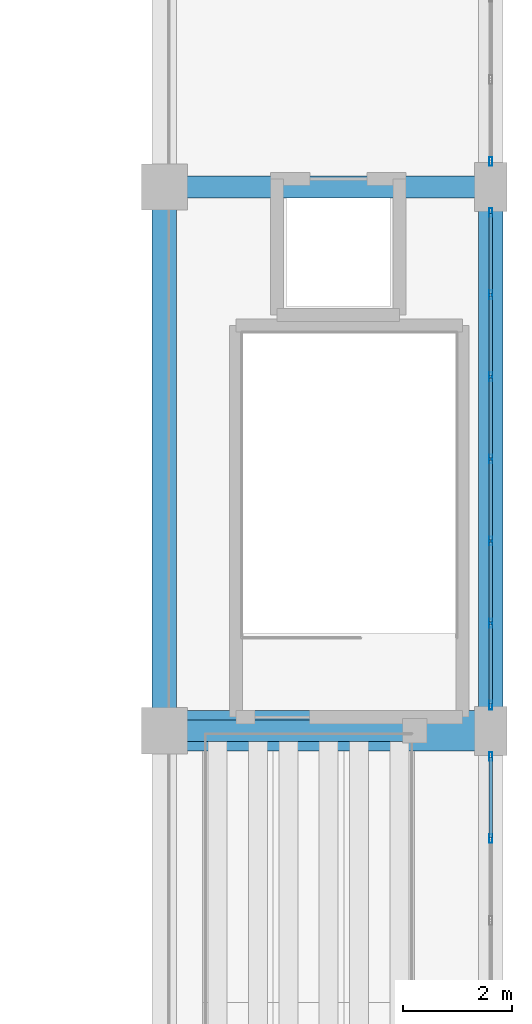
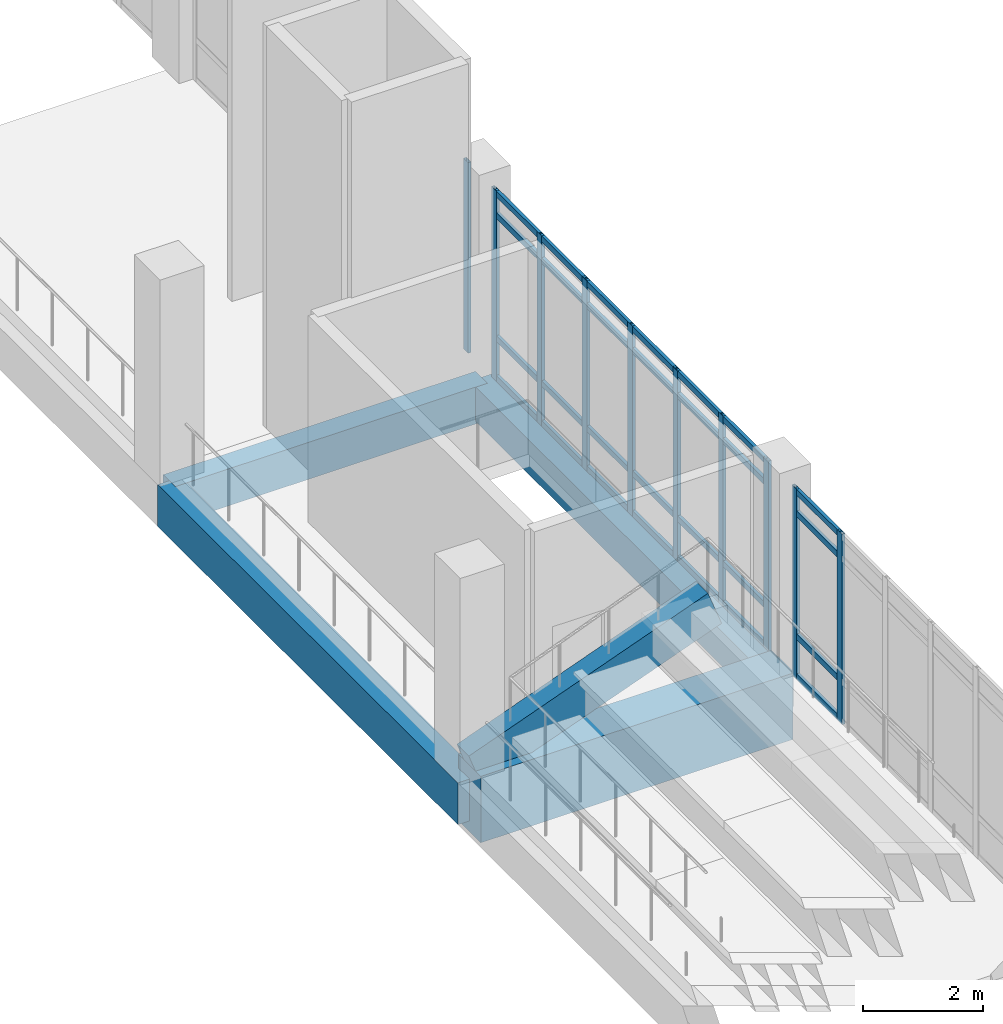
# One storey, part 109 of 161: 38 members, 5 beams, 3 elements without a shape of their own.
"""IFC4 building model written with IfcOpenShell, lengths in metres."""

from ifc_helpers import new_model, si_unit, direction, frame, origin, origin_2d, place, context, subcontext, project, spatial, rectangle, hollow_rectangle, extrude, material, layer, layer_set, material_profile, profile_set, type_object, element, aggregate, save


model = new_model("IFC4")

# Units and contexts
model_context = context("Model", 3, precision=1e-05, world=origin(), true_north=direction((0.0, 1.0)))
body_context = subcontext(model_context, "Body", "Model", "MODEL_VIEW")
ifc_project = project(units=[si_unit("LENGTHUNIT", "METRE"), si_unit("AREAUNIT", "SQUARE_METRE"), si_unit("VOLUMEUNIT", "CUBIC_METRE"), si_unit("PLANEANGLEUNIT", "RADIAN"), si_unit("MASSUNIT", "GRAM", prefix="KILO")], contexts=[model_context])

# Site, building, storey
site_placement = place(None, origin())
site = spatial("IfcSite", under=ifc_project, at=site_placement, CompositionType="ELEMENT")
building_placement = place(site_placement, origin())
building = spatial("IfcBuilding", under=site, at=building_placement, Name="Mersad Railyard Sports Hall", CompositionType="ELEMENT")
storey_placement = place(building_placement, frame((0.0, 0.0, 4.800048828125)))
storey = spatial("IfcBuildingStorey", under=building, at=storey_placement, Name="L01", CompositionType="ELEMENT", Elevation=4.800048828125)

# Curtain wall, members
ifc_material_1 = material(Name="Aluminium 6063-T6", Category="aluminium")
ifc_layer = layer(ifc_material_1, 0.159912109375)
ifc_layer_set = layer_set([ifc_layer], Name="Aluminium 6063-T6")
curtain_wall_type = type_object("IfcCurtainWallType", Name="ARC-CW-CW14", PredefinedType="USERDEFINED", material=ifc_layer_set)
curtain_wall_1_placement = place(storey_placement, origin())
curtain_wall_1 = element("IfcCurtainWall", 1, at=curtain_wall_1_placement, inside=storey, type_object=curtain_wall_type, Name="Curtain wall CW14-0052", ObjectType="CURTAIN WALL", PredefinedType="USERDEFINED")
ifc_material_profile_1 = material_profile(ifc_material_1, hollow_rectangle(XDim=0.06005859375, YDim=0.159912109375, WallThickness=0.00390625, at=origin_2d()), Name="AL MULLION 60x160x4")
ifc_profile_set_1 = profile_set([ifc_material_profile_1], Name="Aluminium 6063-T6")
member_type_1 = type_object("IfcMemberType", Name="ARC-CW-MUL01", PredefinedType="MULLION", material=ifc_profile_set_1)
member_1_placement = place(storey_placement, frame((179.0, 53.030029296875, -0.02001953125), z_axis=(0.0, 0.0, 1.0), x_axis=(1.0, 0.0, 0.0)))
member_1 = element("IfcMember", 2, at=member_1_placement, type_object=member_type_1, Name="CW14 Mullion 1", PredefinedType="MULLION", context=body_context, shape_type="SweptSolid", body=[
    extrude(hollow_rectangle(XDim=0.06005859375, YDim=0.159912109375, WallThickness=0.00390625, at=origin_2d()), origin(), (0.0, 0.0, 1.0), 3.869873046875),
])
member_2_placement = place(storey_placement, frame((179.0, 51.52001953125, -0.02001953125), z_axis=(0.0, 0.0, 1.0), x_axis=(1.0, 0.0, 0.0)))
member_2 = element("IfcMember", 3, at=member_2_placement, type_object=member_type_1, Name="CW14 Mullion 2", PredefinedType="MULLION", context=body_context, shape_type="SweptSolid", body=[
    extrude(hollow_rectangle(XDim=0.06005859375, YDim=0.159912109375, WallThickness=0.00390625, at=origin_2d()), origin(), (0.0, 0.0, 1.0), 3.869873046875),
])

curtain_wall_2_placement = place(storey_placement, origin())
curtain_wall_2 = element("IfcCurtainWall", 4, at=curtain_wall_2_placement, inside=storey, type_object=curtain_wall_type, Name="Curtain wall CW14-0054", ObjectType="CURTAIN WALL", PredefinedType="USERDEFINED")
member_3_placement = place(storey_placement, frame((179.0, 63.030029296875, -0.02001953125), z_axis=(0.0, 0.0, 1.0), x_axis=(1.0, 0.0, 0.0)))
member_3 = element("IfcMember", 5, at=member_3_placement, type_object=member_type_1, Name="CW14 Mullion 1", PredefinedType="MULLION", context=body_context, shape_type="SweptSolid", body=[
    extrude(hollow_rectangle(XDim=0.06005859375, YDim=0.159912109375, WallThickness=0.00390625, at=origin_2d()), origin(), (0.0, 0.0, 1.0), 3.869873046875),
])
member_4_placement = place(storey_placement, frame((179.0, 61.52001953125, -0.02001953125), z_axis=(0.0, 0.0, 1.0), x_axis=(1.0, 0.0, 0.0)))
member_4 = element("IfcMember", 6, at=member_4_placement, type_object=member_type_1, Name="CW14 Mullion 2", PredefinedType="MULLION", context=body_context, shape_type="SweptSolid", body=[
    extrude(hollow_rectangle(XDim=0.06005859375, YDim=0.159912109375, WallThickness=0.00390625, at=origin_2d()), origin(), (0.0, 0.0, 1.0), 3.869873046875),
])
member_5_placement = place(storey_placement, frame((179.0, 60.010009765625, -0.02001953125), z_axis=(0.0, 0.0, 1.0), x_axis=(1.0, 0.0, 0.0)))
member_5 = element("IfcMember", 7, at=member_5_placement, type_object=member_type_1, Name="CW14 Mullion 3", PredefinedType="MULLION", context=body_context, shape_type="SweptSolid", body=[
    extrude(hollow_rectangle(XDim=0.06005859375, YDim=0.159912109375, WallThickness=0.00390625, at=origin_2d()), origin(), (0.0, 0.0, 1.0), 3.869873046875),
])
member_6_placement = place(storey_placement, frame((179.0, 58.5, -0.02001953125), z_axis=(0.0, 0.0, 1.0), x_axis=(1.0, 0.0, 0.0)))
member_6 = element("IfcMember", 8, at=member_6_placement, type_object=member_type_1, Name="CW14 Mullion 4", PredefinedType="MULLION", context=body_context, shape_type="SweptSolid", body=[
    extrude(hollow_rectangle(XDim=0.06005859375, YDim=0.159912109375, WallThickness=0.00390625, at=origin_2d()), origin(), (0.0, 0.0, 1.0), 3.869873046875),
])
member_7_placement = place(storey_placement, frame((179.0, 56.989990234375, -0.02001953125), z_axis=(0.0, 0.0, 1.0), x_axis=(1.0, 0.0, 0.0)))
member_7 = element("IfcMember", 9, at=member_7_placement, type_object=member_type_1, Name="CW14 Mullion 5", PredefinedType="MULLION", context=body_context, shape_type="SweptSolid", body=[
    extrude(hollow_rectangle(XDim=0.06005859375, YDim=0.159912109375, WallThickness=0.00390625, at=origin_2d()), origin(), (0.0, 0.0, 1.0), 3.869873046875),
])
member_8_placement = place(storey_placement, frame((179.0, 55.47998046875, -0.02001953125), z_axis=(0.0, 0.0, 1.0), x_axis=(1.0, 0.0, 0.0)))
member_8 = element("IfcMember", 10, at=member_8_placement, type_object=member_type_1, Name="CW14 Mullion 6", PredefinedType="MULLION", context=body_context, shape_type="SweptSolid", body=[
    extrude(hollow_rectangle(XDim=0.06005859375, YDim=0.159912109375, WallThickness=0.00390625, at=origin_2d()), origin(), (0.0, 0.0, 1.0), 3.869873046875),
])
member_9_placement = place(storey_placement, frame((179.0, 53.969970703125, -0.02001953125), z_axis=(0.0, 0.0, 1.0), x_axis=(1.0, 0.0, 0.0)))
member_9 = element("IfcMember", 11, at=member_9_placement, type_object=member_type_1, Name="CW14 Mullion 7", PredefinedType="MULLION", context=body_context, shape_type="SweptSolid", body=[
    extrude(hollow_rectangle(XDim=0.06005859375, YDim=0.159912109375, WallThickness=0.00390625, at=origin_2d()), origin(), (0.0, 0.0, 1.0), 3.869873046875),
])

# Curtain wall, member
curtain_wall_3_placement = place(storey_placement, origin())
curtain_wall_3 = element("IfcCurtainWall", 12, at=curtain_wall_3_placement, inside=storey, type_object=curtain_wall_type, Name="Curtain wall CW14-0056", ObjectType="CURTAIN WALL", PredefinedType="USERDEFINED")
member_10_placement = place(storey_placement, frame((179.0, 63.969970703125, -0.02001953125), z_axis=(0.0, 0.0, 1.0), x_axis=(1.0, 0.0, 0.0)))
member_10 = element("IfcMember", 13, at=member_10_placement, type_object=member_type_1, Name="CW14 Mullion 7", PredefinedType="MULLION", context=body_context, shape_type="SweptSolid", body=[
    extrude(hollow_rectangle(XDim=0.06005859375, YDim=0.159912109375, WallThickness=0.00390625, at=origin_2d()), origin(), (0.0, 0.0, 1.0), 3.869873046875),
])
aggregate(curtain_wall_3, [member_10])

# Member
ifc_material_profile_2 = material_profile(ifc_material_1, hollow_rectangle(XDim=0.06005859375, YDim=0.1201171875, WallThickness=0.00390625, at=origin_2d()), Name="AL TRANSOM 60x120x4")
ifc_profile_set_2 = profile_set([ifc_material_profile_2], Name="Aluminium 6063-T6")
member_type_2 = type_object("IfcMemberType", Name="ARC-CW-TRN01", PredefinedType="USERDEFINED", material=ifc_profile_set_2)
member_11_placement = place(storey_placement, frame((179.0, 53.010009765625, 0.0400390625), z_axis=(0.0, -1.0, 0.0), x_axis=(1.0, 0.0, 0.0)))
member_11 = element("IfcMember", 14, at=member_11_placement, type_object=member_type_2, Name="CW14 Transom 1-1", ObjectType="TRANSOM", PredefinedType="USERDEFINED", context=body_context, shape_type="SweptSolid", body=[
    extrude(hollow_rectangle(XDim=0.06005859375, YDim=0.1201171875, WallThickness=0.00390625, at=origin_2d()), origin(), (0.0, 0.0, 1.0), 1.469970703125),
])

member_12_placement = place(storey_placement, frame((179.0, 53.010009765625, 0.849853515625), z_axis=(0.0, -1.0, 0.0), x_axis=(1.0, 0.0, 0.0)))
member_12 = element("IfcMember", 15, at=member_12_placement, type_object=member_type_2, Name="CW14 Transom 2-1", ObjectType="TRANSOM", PredefinedType="USERDEFINED", context=body_context, shape_type="SweptSolid", body=[
    extrude(hollow_rectangle(XDim=0.06005859375, YDim=0.1201171875, WallThickness=0.00390625, at=origin_2d()), origin(), (0.0, 0.0, 1.0), 1.469970703125),
])

member_13_placement = place(storey_placement, frame((179.0, 53.010009765625, 3.349853515625), z_axis=(0.0, -1.0, 0.0), x_axis=(1.0, 0.0, 0.0)))
member_13 = element("IfcMember", 16, at=member_13_placement, type_object=member_type_2, Name="CW14 Transom 3-1", ObjectType="TRANSOM", PredefinedType="USERDEFINED", context=body_context, shape_type="SweptSolid", body=[
    extrude(hollow_rectangle(XDim=0.06005859375, YDim=0.1201171875, WallThickness=0.00390625, at=origin_2d()), origin(), (0.0, 0.0, 1.0), 1.469970703125),
])

member_14_placement = place(storey_placement, frame((179.0, 53.010009765625, 3.7900390625), z_axis=(0.0, -1.0, 0.0), x_axis=(1.0, 0.0, 0.0)))
member_14 = element("IfcMember", 17, at=member_14_placement, type_object=member_type_2, Name="CW14 Transom 4-1", ObjectType="TRANSOM", PredefinedType="USERDEFINED", context=body_context, shape_type="SweptSolid", body=[
    extrude(hollow_rectangle(XDim=0.06005859375, YDim=0.1201171875, WallThickness=0.00390625, at=origin_2d()), origin(), (0.0, 0.0, 1.0), 1.469970703125),
])

aggregate(curtain_wall_1, [member_1, member_2, member_11, member_12, member_13, member_14])

member_15_placement = place(storey_placement, frame((179.0, 63.010009765625, 0.0400390625), z_axis=(0.0, -1.0, 0.0), x_axis=(1.0, 0.0, 0.0)))
member_15 = element("IfcMember", 18, at=member_15_placement, type_object=member_type_2, Name="CW14 Transom 1-1", ObjectType="TRANSOM", PredefinedType="USERDEFINED", context=body_context, shape_type="SweptSolid", body=[
    extrude(hollow_rectangle(XDim=0.06005859375, YDim=0.1201171875, WallThickness=0.00390625, at=origin_2d()), origin(), (0.0, 0.0, 1.0), 1.469970703125),
])

member_16_placement = place(storey_placement, frame((179.0, 61.5, 0.0400390625), z_axis=(0.0, -1.0, 0.0), x_axis=(1.0, 0.0, 0.0)))
member_16 = element("IfcMember", 19, at=member_16_placement, type_object=member_type_2, Name="CW14 Transom 1-2", ObjectType="TRANSOM", PredefinedType="USERDEFINED", context=body_context, shape_type="SweptSolid", body=[
    extrude(hollow_rectangle(XDim=0.06005859375, YDim=0.1201171875, WallThickness=0.00390625, at=origin_2d()), origin(), (0.0, 0.0, 1.0), 1.469970703125),
])

member_17_placement = place(storey_placement, frame((179.0, 59.989990234375, 0.0400390625), z_axis=(0.0, -1.0, 0.0), x_axis=(1.0, 0.0, 0.0)))
member_17 = element("IfcMember", 20, at=member_17_placement, type_object=member_type_2, Name="CW14 Transom 1-3", ObjectType="TRANSOM", PredefinedType="USERDEFINED", context=body_context, shape_type="SweptSolid", body=[
    extrude(hollow_rectangle(XDim=0.06005859375, YDim=0.1201171875, WallThickness=0.00390625, at=origin_2d()), origin(), (0.0, 0.0, 1.0), 1.469970703125),
])

member_18_placement = place(storey_placement, frame((179.0, 58.47998046875, 0.0400390625), z_axis=(0.0, -1.0, 0.0), x_axis=(1.0, 0.0, 0.0)))
member_18 = element("IfcMember", 21, at=member_18_placement, type_object=member_type_2, Name="CW14 Transom 1-4", ObjectType="TRANSOM", PredefinedType="USERDEFINED", context=body_context, shape_type="SweptSolid", body=[
    extrude(hollow_rectangle(XDim=0.06005859375, YDim=0.1201171875, WallThickness=0.00390625, at=origin_2d()), origin(), (0.0, 0.0, 1.0), 1.469970703125),
])

member_19_placement = place(storey_placement, frame((179.0, 56.969970703125, 0.0400390625), z_axis=(0.0, -1.0, 0.0), x_axis=(1.0, 0.0, 0.0)))
member_19 = element("IfcMember", 22, at=member_19_placement, type_object=member_type_2, Name="CW14 Transom 1-5", ObjectType="TRANSOM", PredefinedType="USERDEFINED", context=body_context, shape_type="SweptSolid", body=[
    extrude(hollow_rectangle(XDim=0.06005859375, YDim=0.1201171875, WallThickness=0.00390625, at=origin_2d()), origin(), (0.0, 0.0, 1.0), 1.469970703125),
])

member_20_placement = place(storey_placement, frame((179.0, 55.4599609375, 0.0400390625), z_axis=(0.0, -1.0, 0.0), x_axis=(1.0, 0.0, 0.0)))
member_20 = element("IfcMember", 23, at=member_20_placement, type_object=member_type_2, Name="CW14 Transom 1-6", ObjectType="TRANSOM", PredefinedType="USERDEFINED", context=body_context, shape_type="SweptSolid", body=[
    extrude(hollow_rectangle(XDim=0.06005859375, YDim=0.1201171875, WallThickness=0.00390625, at=origin_2d()), origin(), (0.0, 0.0, 1.0), 1.469970703125),
])

member_21_placement = place(storey_placement, frame((179.0, 63.010009765625, 0.849853515625), z_axis=(0.0, -1.0, 0.0), x_axis=(1.0, 0.0, 0.0)))
member_21 = element("IfcMember", 24, at=member_21_placement, type_object=member_type_2, Name="CW14 Transom 2-1", ObjectType="TRANSOM", PredefinedType="USERDEFINED", context=body_context, shape_type="SweptSolid", body=[
    extrude(hollow_rectangle(XDim=0.06005859375, YDim=0.1201171875, WallThickness=0.00390625, at=origin_2d()), origin(), (0.0, 0.0, 1.0), 1.469970703125),
])

member_22_placement = place(storey_placement, frame((179.0, 61.5, 0.849853515625), z_axis=(0.0, -1.0, 0.0), x_axis=(1.0, 0.0, 0.0)))
member_22 = element("IfcMember", 25, at=member_22_placement, type_object=member_type_2, Name="CW14 Transom 2-2", ObjectType="TRANSOM", PredefinedType="USERDEFINED", context=body_context, shape_type="SweptSolid", body=[
    extrude(hollow_rectangle(XDim=0.06005859375, YDim=0.1201171875, WallThickness=0.00390625, at=origin_2d()), origin(), (0.0, 0.0, 1.0), 1.469970703125),
])

member_23_placement = place(storey_placement, frame((179.0, 59.989990234375, 0.849853515625), z_axis=(0.0, -1.0, 0.0), x_axis=(1.0, 0.0, 0.0)))
member_23 = element("IfcMember", 26, at=member_23_placement, type_object=member_type_2, Name="CW14 Transom 2-3", ObjectType="TRANSOM", PredefinedType="USERDEFINED", context=body_context, shape_type="SweptSolid", body=[
    extrude(hollow_rectangle(XDim=0.06005859375, YDim=0.1201171875, WallThickness=0.00390625, at=origin_2d()), origin(), (0.0, 0.0, 1.0), 1.469970703125),
])

member_24_placement = place(storey_placement, frame((179.0, 58.47998046875, 0.849853515625), z_axis=(0.0, -1.0, 0.0), x_axis=(1.0, 0.0, 0.0)))
member_24 = element("IfcMember", 27, at=member_24_placement, type_object=member_type_2, Name="CW14 Transom 2-4", ObjectType="TRANSOM", PredefinedType="USERDEFINED", context=body_context, shape_type="SweptSolid", body=[
    extrude(hollow_rectangle(XDim=0.06005859375, YDim=0.1201171875, WallThickness=0.00390625, at=origin_2d()), origin(), (0.0, 0.0, 1.0), 1.469970703125),
])

member_25_placement = place(storey_placement, frame((179.0, 56.969970703125, 0.849853515625), z_axis=(0.0, -1.0, 0.0), x_axis=(1.0, 0.0, 0.0)))
member_25 = element("IfcMember", 28, at=member_25_placement, type_object=member_type_2, Name="CW14 Transom 2-5", ObjectType="TRANSOM", PredefinedType="USERDEFINED", context=body_context, shape_type="SweptSolid", body=[
    extrude(hollow_rectangle(XDim=0.06005859375, YDim=0.1201171875, WallThickness=0.00390625, at=origin_2d()), origin(), (0.0, 0.0, 1.0), 1.469970703125),
])

member_26_placement = place(storey_placement, frame((179.0, 55.4599609375, 0.849853515625), z_axis=(0.0, -1.0, 0.0), x_axis=(1.0, 0.0, 0.0)))
member_26 = element("IfcMember", 29, at=member_26_placement, type_object=member_type_2, Name="CW14 Transom 2-6", ObjectType="TRANSOM", PredefinedType="USERDEFINED", context=body_context, shape_type="SweptSolid", body=[
    extrude(hollow_rectangle(XDim=0.06005859375, YDim=0.1201171875, WallThickness=0.00390625, at=origin_2d()), origin(), (0.0, 0.0, 1.0), 1.469970703125),
])

member_27_placement = place(storey_placement, frame((179.0, 63.010009765625, 3.349853515625), z_axis=(0.0, -1.0, 0.0), x_axis=(1.0, 0.0, 0.0)))
member_27 = element("IfcMember", 30, at=member_27_placement, type_object=member_type_2, Name="CW14 Transom 3-1", ObjectType="TRANSOM", PredefinedType="USERDEFINED", context=body_context, shape_type="SweptSolid", body=[
    extrude(hollow_rectangle(XDim=0.06005859375, YDim=0.1201171875, WallThickness=0.00390625, at=origin_2d()), origin(), (0.0, 0.0, 1.0), 1.469970703125),
])

member_28_placement = place(storey_placement, frame((179.0, 61.5, 3.349853515625), z_axis=(0.0, -1.0, 0.0), x_axis=(1.0, 0.0, 0.0)))
member_28 = element("IfcMember", 31, at=member_28_placement, type_object=member_type_2, Name="CW14 Transom 3-2", ObjectType="TRANSOM", PredefinedType="USERDEFINED", context=body_context, shape_type="SweptSolid", body=[
    extrude(hollow_rectangle(XDim=0.06005859375, YDim=0.1201171875, WallThickness=0.00390625, at=origin_2d()), origin(), (0.0, 0.0, 1.0), 1.469970703125),
])

member_29_placement = place(storey_placement, frame((179.0, 59.989990234375, 3.349853515625), z_axis=(0.0, -1.0, 0.0), x_axis=(1.0, 0.0, 0.0)))
member_29 = element("IfcMember", 32, at=member_29_placement, type_object=member_type_2, Name="CW14 Transom 3-3", ObjectType="TRANSOM", PredefinedType="USERDEFINED", context=body_context, shape_type="SweptSolid", body=[
    extrude(hollow_rectangle(XDim=0.06005859375, YDim=0.1201171875, WallThickness=0.00390625, at=origin_2d()), origin(), (0.0, 0.0, 1.0), 1.469970703125),
])

member_30_placement = place(storey_placement, frame((179.0, 58.47998046875, 3.349853515625), z_axis=(0.0, -1.0, 0.0), x_axis=(1.0, 0.0, 0.0)))
member_30 = element("IfcMember", 33, at=member_30_placement, type_object=member_type_2, Name="CW14 Transom 3-4", ObjectType="TRANSOM", PredefinedType="USERDEFINED", context=body_context, shape_type="SweptSolid", body=[
    extrude(hollow_rectangle(XDim=0.06005859375, YDim=0.1201171875, WallThickness=0.00390625, at=origin_2d()), origin(), (0.0, 0.0, 1.0), 1.469970703125),
])

member_31_placement = place(storey_placement, frame((179.0, 56.969970703125, 3.349853515625), z_axis=(0.0, -1.0, 0.0), x_axis=(1.0, 0.0, 0.0)))
member_31 = element("IfcMember", 34, at=member_31_placement, type_object=member_type_2, Name="CW14 Transom 3-5", ObjectType="TRANSOM", PredefinedType="USERDEFINED", context=body_context, shape_type="SweptSolid", body=[
    extrude(hollow_rectangle(XDim=0.06005859375, YDim=0.1201171875, WallThickness=0.00390625, at=origin_2d()), origin(), (0.0, 0.0, 1.0), 1.469970703125),
])

member_32_placement = place(storey_placement, frame((179.0, 55.4599609375, 3.349853515625), z_axis=(0.0, -1.0, 0.0), x_axis=(1.0, 0.0, 0.0)))
member_32 = element("IfcMember", 35, at=member_32_placement, type_object=member_type_2, Name="CW14 Transom 3-6", ObjectType="TRANSOM", PredefinedType="USERDEFINED", context=body_context, shape_type="SweptSolid", body=[
    extrude(hollow_rectangle(XDim=0.06005859375, YDim=0.1201171875, WallThickness=0.00390625, at=origin_2d()), origin(), (0.0, 0.0, 1.0), 1.469970703125),
])

member_33_placement = place(storey_placement, frame((179.0, 63.010009765625, 3.7900390625), z_axis=(0.0, -1.0, 0.0), x_axis=(1.0, 0.0, 0.0)))
member_33 = element("IfcMember", 36, at=member_33_placement, type_object=member_type_2, Name="CW14 Transom 4-1", ObjectType="TRANSOM", PredefinedType="USERDEFINED", context=body_context, shape_type="SweptSolid", body=[
    extrude(hollow_rectangle(XDim=0.06005859375, YDim=0.1201171875, WallThickness=0.00390625, at=origin_2d()), origin(), (0.0, 0.0, 1.0), 1.469970703125),
])

member_34_placement = place(storey_placement, frame((179.0, 61.5, 3.7900390625), z_axis=(0.0, -1.0, 0.0), x_axis=(1.0, 0.0, 0.0)))
member_34 = element("IfcMember", 37, at=member_34_placement, type_object=member_type_2, Name="CW14 Transom 4-2", ObjectType="TRANSOM", PredefinedType="USERDEFINED", context=body_context, shape_type="SweptSolid", body=[
    extrude(hollow_rectangle(XDim=0.06005859375, YDim=0.1201171875, WallThickness=0.00390625, at=origin_2d()), origin(), (0.0, 0.0, 1.0), 1.469970703125),
])

member_35_placement = place(storey_placement, frame((179.0, 59.989990234375, 3.7900390625), z_axis=(0.0, -1.0, 0.0), x_axis=(1.0, 0.0, 0.0)))
member_35 = element("IfcMember", 38, at=member_35_placement, type_object=member_type_2, Name="CW14 Transom 4-3", ObjectType="TRANSOM", PredefinedType="USERDEFINED", context=body_context, shape_type="SweptSolid", body=[
    extrude(hollow_rectangle(XDim=0.06005859375, YDim=0.1201171875, WallThickness=0.00390625, at=origin_2d()), origin(), (0.0, 0.0, 1.0), 1.469970703125),
])

member_36_placement = place(storey_placement, frame((179.0, 58.47998046875, 3.7900390625), z_axis=(0.0, -1.0, 0.0), x_axis=(1.0, 0.0, 0.0)))
member_36 = element("IfcMember", 39, at=member_36_placement, type_object=member_type_2, Name="CW14 Transom 4-4", ObjectType="TRANSOM", PredefinedType="USERDEFINED", context=body_context, shape_type="SweptSolid", body=[
    extrude(hollow_rectangle(XDim=0.06005859375, YDim=0.1201171875, WallThickness=0.00390625, at=origin_2d()), origin(), (0.0, 0.0, 1.0), 1.469970703125),
])

member_37_placement = place(storey_placement, frame((179.0, 56.969970703125, 3.7900390625), z_axis=(0.0, -1.0, 0.0), x_axis=(1.0, 0.0, 0.0)))
member_37 = element("IfcMember", 40, at=member_37_placement, type_object=member_type_2, Name="CW14 Transom 4-5", ObjectType="TRANSOM", PredefinedType="USERDEFINED", context=body_context, shape_type="SweptSolid", body=[
    extrude(hollow_rectangle(XDim=0.06005859375, YDim=0.1201171875, WallThickness=0.00390625, at=origin_2d()), origin(), (0.0, 0.0, 1.0), 1.469970703125),
])

member_38_placement = place(storey_placement, frame((179.0, 55.4599609375, 3.7900390625), z_axis=(0.0, -1.0, 0.0), x_axis=(1.0, 0.0, 0.0)))
member_38 = element("IfcMember", 41, at=member_38_placement, type_object=member_type_2, Name="CW14 Transom 4-6", ObjectType="TRANSOM", PredefinedType="USERDEFINED", context=body_context, shape_type="SweptSolid", body=[
    extrude(hollow_rectangle(XDim=0.06005859375, YDim=0.1201171875, WallThickness=0.00390625, at=origin_2d()), origin(), (0.0, 0.0, 1.0), 1.469970703125),
])

aggregate(curtain_wall_2, [member_3, member_4, member_5, member_6, member_7, member_8, member_9, member_15, member_16, member_17, member_18, member_19, member_20, member_21, member_22, member_23, member_24, member_25, member_26, member_27, member_28, member_29, member_30, member_31, member_32, member_33, member_34, member_35, member_36, member_37, member_38])

# Beams
ifc_material_2 = material(Name="Concrete C40/50", Category="concrete")
ifc_material_profile_3 = material_profile(ifc_material_2, rectangle(XDim=0.39990234375, YDim=0.75, at=origin_2d()), Name="RC 400x750")
ifc_profile_set_3 = profile_set([ifc_material_profile_3], Name="Concrete C40/50")
beam_type_1 = type_object("IfcBeamType", Name="STR-BM-B01", PredefinedType="BEAM", material=ifc_profile_set_3)
beam_1_placement = place(storey_placement, frame((173.0, 63.5, -0.655029296875), z_axis=(1.0, 0.0, 0.0), x_axis=(0.0, 1.0, 0.0)))
element("IfcBeam", 42, at=beam_1_placement, inside=storey, type_object=beam_type_1, Name="Beam B01-0645", PredefinedType="BEAM", context=body_context, shape_type="SweptSolid", body=[
    extrude(rectangle(XDim=0.39990234375, YDim=0.75, at=origin_2d()), origin(), (0.0, 0.0, 1.0), 6.0),
])
ifc_material_profile_4 = material_profile(ifc_material_2, rectangle(XDim=0.449951171875, YDim=0.85009765625, at=origin_2d()), Name="RC 450x850")
ifc_profile_set_4 = profile_set([ifc_material_profile_4], Name="Concrete C40/50")
beam_type_2 = type_object("IfcBeamType", Name="STR-BM-B02", PredefinedType="BEAM", material=ifc_profile_set_4)
beam_2_placement = place(storey_placement, frame((173.0, 53.5, -0.705078125), z_axis=(0.0, 1.0, 0.0), x_axis=(-1.0, 0.0, 0.0)))
element("IfcBeam", 43, at=beam_2_placement, inside=storey, type_object=beam_type_2, Name="Beam B02-0652", PredefinedType="BEAM", context=body_context, shape_type="SweptSolid", body=[
    extrude(rectangle(XDim=0.449951171875, YDim=0.85009765625, at=origin_2d()), origin(), (0.0, 0.0, 1.0), 10.0),
])
ifc_material_profile_5 = material_profile(ifc_material_2, rectangle(XDim=0.39990234375, YDim=0.75, at=origin_2d()), Name="RC 400x750")
ifc_profile_set_5 = profile_set([ifc_material_profile_5], Name="Concrete C40/50")
beam_type_3 = type_object("IfcBeamType", Name="STR-BM-RK02", PredefinedType="USERDEFINED", material=ifc_profile_set_5)
beam_3_placement = place(storey_placement, frame((177.60009765625, 53.5, 1.699951171875), z_axis=(-0.938000128982, 0.0, -0.34663490596), x_axis=(0.0, -1.0, 0.0)))
element("IfcBeam", 44, at=beam_3_placement, inside=storey, type_object=beam_type_3, Name="Beam RK02-0852", ObjectType="RAKER", PredefinedType="USERDEFINED", context=body_context, shape_type="SweptSolid", body=[
    extrude(rectangle(XDim=0.39990234375, YDim=0.75, at=origin_2d()), origin(), (0.0, 0.0, 1.0), 4.904052734375),
])
ifc_material_3 = material(Name="Architectural concrete C40/50", Category="concrete")
ifc_material_profile_6 = material_profile(ifc_material_3, rectangle(XDim=0.449951171875, YDim=0.699951171875, at=origin_2d()), Name="RC 450x700")
ifc_profile_set_6 = profile_set([ifc_material_profile_6], Name="Architectural concrete C40/50")
beam_type_4 = type_object("IfcBeamType", Name="STR-BM-SP01", PredefinedType="SPANDREL", material=ifc_profile_set_6)
beam_4_placement = place(storey_placement, frame((179.0, 53.5, -0.630126953125), z_axis=(0.0, 1.0, 0.0), x_axis=(-1.0, 0.0, 0.0)))
element("IfcBeam", 45, at=beam_4_placement, inside=storey, type_object=beam_type_4, Name="Beam SP01-0659", PredefinedType="SPANDREL", context=body_context, shape_type="SweptSolid", body=[
    extrude(rectangle(XDim=0.449951171875, YDim=0.699951171875, at=origin_2d()), origin(), (0.0, 0.0, 1.0), 10.0),
])
ifc_material_4 = material(Name="Post-tensioned concrete C50/60", Category="concrete")
ifc_material_profile_7 = material_profile(ifc_material_4, rectangle(XDim=0.75, YDim=1.35009765625, at=origin_2d()), Name="PT 750x1350")
ifc_profile_set_7 = profile_set([ifc_material_profile_7], Name="Post-tensioned concrete C50/60")
beam_type_5 = type_object("IfcBeamType", Name="STR-BM-TG02", PredefinedType="USERDEFINED", material=ifc_profile_set_7)
beam_5_placement = place(storey_placement, frame((173.0, 53.5, -0.675048828125), z_axis=(1.0, 0.0, 0.0), x_axis=(0.0, 1.0, 0.0)))
element("IfcBeam", 46, at=beam_5_placement, inside=storey, type_object=beam_type_5, Name="Transfer girder TG02-0626", ObjectType="GIRDER", PredefinedType="USERDEFINED", context=body_context, shape_type="SweptSolid", body=[
    extrude(rectangle(XDim=0.75, YDim=1.35009765625, at=origin_2d()), origin(), (0.0, 0.0, 1.0), 6.0),
])

save(model, "model.ifc")
